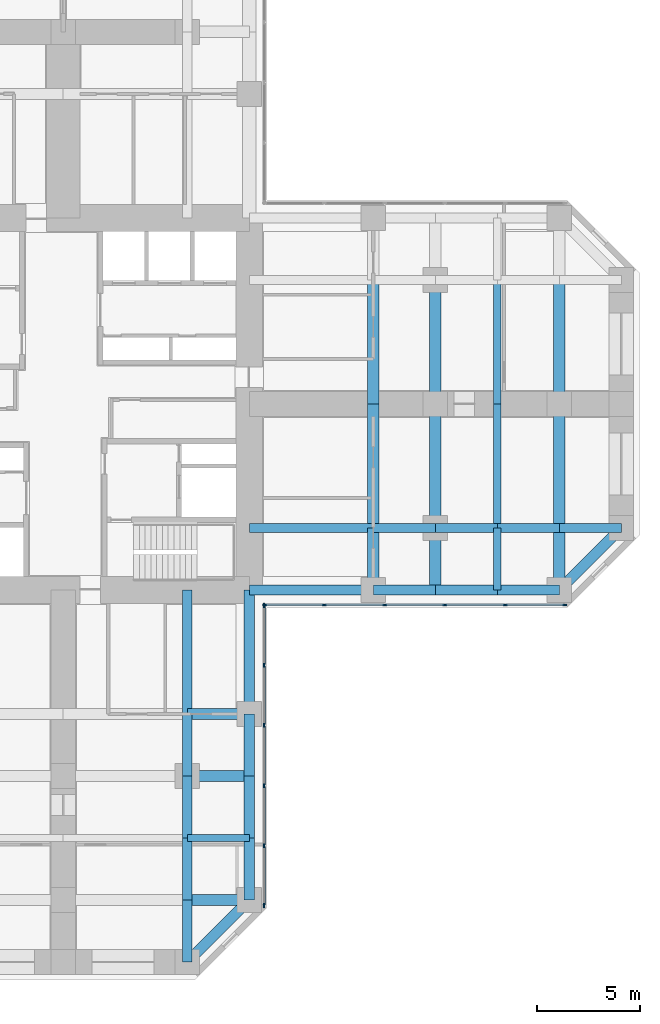
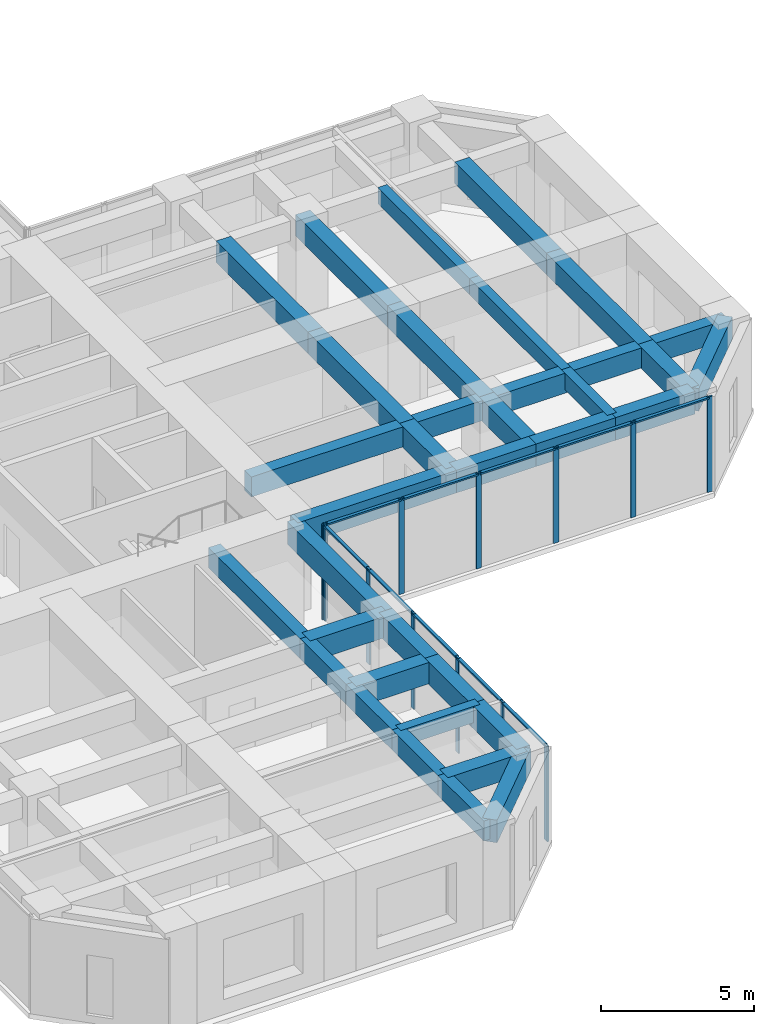
# One storey, part 4 of 12: 36 beams, 22 members, 2 elements without a shape of their own.
"""IFC4 building model written with IfcOpenShell, lengths in metres."""

from ifc_helpers import new_model, si_unit, direction, frame, origin, origin_2d, place, context, subcontext, project, spatial, rectangle, extrude, material, material_profile, profile_set, type_object, element, aggregate, save


model = new_model("IFC4")

# Units and contexts
model_context = context("Model", 3, precision=1e-05, world=origin(), true_north=direction((0.0, 1.0)))
body_context = subcontext(model_context, "Body", "Model", "MODEL_VIEW")
ifc_project = project(units=[si_unit("LENGTHUNIT", "METRE"), si_unit("AREAUNIT", "SQUARE_METRE"), si_unit("VOLUMEUNIT", "CUBIC_METRE"), si_unit("PLANEANGLEUNIT", "RADIAN"), si_unit("MASSUNIT", "GRAM", prefix="KILO")], contexts=[model_context])

# Site, building, storey
site_placement = place(None, origin())
site = spatial("IfcSite", under=ifc_project, at=site_placement, CompositionType="ELEMENT")
building_placement = place(site_placement, origin())
building = spatial("IfcBuilding", under=site, at=building_placement, Name="Torre Cruceta", CompositionType="ELEMENT")
storey_placement = place(building_placement, frame((0.0, 0.0, 87.5)))
storey = spatial("IfcBuildingStorey", under=building, at=storey_placement, Name="L21", CompositionType="ELEMENT", Elevation=87.5)

# Beams
ifc_material_1 = material(Name="Concrete G60 (fck 60 MPa)", Category="concrete")
ifc_material_profile_1 = material_profile(ifc_material_1, rectangle(XDim=0.449951171875, YDim=0.800048828125, at=origin_2d()), Name="RC 450X800")
ifc_profile_set_1 = profile_set([ifc_material_profile_1], Name="Concrete G60 (fck 60 MPa)")
beam_type_1 = type_object("IfcBeamType", Name="COLUMN LINE BEAM RC 450X800", PredefinedType="BEAM", material=ifc_profile_set_1)
beam_1_placement = place(storey_placement, frame((9.0, -6.0, 3.39990234375), z_axis=(1.0, 0.0, 0.0), x_axis=(0.0, 1.0, 0.0)))
element("IfcBeam", 1, at=beam_1_placement, inside=storey, type_object=beam_type_1, Name="LB1 L21 E col- 1", PredefinedType="BEAM", context=body_context, shape_type="SweptSolid", body=[
    extrude(rectangle(XDim=0.449951171875, YDim=0.800048828125, at=origin_2d()), origin(), (0.0, 0.0, 1.0), 6.0),
])
for number, where, z_axis, x_axis, name in (
    (2, (15.0, -6.0, 3.39990234375), (1.0, 0.0, 0.0), (0.0, 1.0, 0.0), "LB1 L21 E col- 2"),
    (3, (18.0, -6.0, 3.39990234375), (1.0, 0.0, 0.0), (0.0, 1.0, 0.0), "LB1 L21 E col- 3"),
    (4, (21.0, -6.0, 3.39990234375), (1.0, 0.0, 0.0), (0.0, 1.0, 0.0), "LB1 L21 E col- 4"),
    (5, (24.0, -6.0, 3.39990234375), (1.0, 0.0, 0.0), (0.0, 1.0, 0.0), "LB1 L21 E col- 5"),
):
    element("IfcBeam", number, at=place(storey_placement, frame(where, z_axis=z_axis, x_axis=x_axis)), inside=storey, type_object=beam_type_1, Name=name, PredefinedType="BEAM", context=body_context, shape_type="SweptSolid", body=[
        extrude(rectangle(XDim=0.449951171875, YDim=0.800048828125, at=origin_2d()), origin(), (0.0, 0.0, 1.0), 3.0),
    ])
beam_2_placement = place(storey_placement, frame((6.0, -9.0, 3.39990234375), z_axis=(0.0, -1.0, 0.0), x_axis=(1.0, 0.0, 0.0)))
element("IfcBeam", 6, at=beam_2_placement, inside=storey, type_object=beam_type_1, Name="LB1 L21 S col+ 1", PredefinedType="BEAM", context=body_context, shape_type="SweptSolid", body=[
    extrude(rectangle(XDim=0.449951171875, YDim=0.800048828125, at=origin_2d()), origin(), (0.0, 0.0, 1.0), 6.0),
])
for number, where, z_axis, x_axis, name in (
    (7, (6.0, -15.0, 3.39990234375), (0.0, -1.0, 0.0), (1.0, 0.0, 0.0), "LB1 L21 S col+ 2"),
    (8, (6.0, -18.0, 3.39990234375), (0.0, -1.0, 0.0), (1.0, 0.0, 0.0), "LB1 L21 S col+ 3"),
    (9, (6.0, -21.0, 3.39990234375), (0.0, -1.0, 0.0), (1.0, 0.0, 0.0), "LB1 L21 S col+ 4"),
    (10, (6.0, -24.0, 3.39990234375), (0.0, -1.0, 0.0), (1.0, 0.0, 0.0), "LB1 L21 S col+ 5"),
):
    element("IfcBeam", number, at=place(storey_placement, frame(where, z_axis=z_axis, x_axis=x_axis)), inside=storey, type_object=beam_type_1, Name=name, PredefinedType="BEAM", context=body_context, shape_type="SweptSolid", body=[
        extrude(rectangle(XDim=0.449951171875, YDim=0.800048828125, at=origin_2d()), origin(), (0.0, 0.0, 1.0), 3.0),
    ])
ifc_material_2 = material(Name="Concrete G60 (fck 60 MPa)", Category="concrete")
ifc_material_profile_2 = material_profile(ifc_material_2, rectangle(XDim=0.550048828125, YDim=0.85009765625, at=origin_2d()), Name="RC 550X850")
ifc_profile_set_2 = profile_set([ifc_material_profile_2], Name="Concrete G60 (fck 60 MPa)")
beam_type_2 = type_object("IfcBeamType", Name="CROSS BEAM RC 550X850", PredefinedType="BEAM", material=ifc_profile_set_2)
beam_3_placement = place(storey_placement, frame((15.0, -9.0, 3.375), z_axis=(0.0, 1.0, 0.0), x_axis=(-1.0, 0.0, 0.0)))
element("IfcBeam", 11, at=beam_3_placement, inside=storey, type_object=beam_type_2, Name="GB4 L21 E cross15 1", PredefinedType="BEAM", context=body_context, shape_type="SweptSolid", body=[
    extrude(rectangle(XDim=0.550048828125, YDim=0.85009765625, at=origin_2d()), origin(), (0.0, 0.0, 1.0), 3.0),
])
for number, where, z_axis, x_axis, name in (
    (12, (15.0, -6.0, 3.375), (0.0, 1.0, 0.0), (-1.0, 0.0, 0.0), "GB4 L21 E cross15 2"),
    (13, (15.0, 0.0, 3.375), (0.0, 1.0, 0.0), (-1.0, 0.0, 0.0), "GB4 L21 E cross15 3"),
):
    element("IfcBeam", number, at=place(storey_placement, frame(where, z_axis=z_axis, x_axis=x_axis)), inside=storey, type_object=beam_type_2, Name=name, PredefinedType="BEAM", context=body_context, shape_type="SweptSolid", body=[
        extrude(rectangle(XDim=0.550048828125, YDim=0.85009765625, at=origin_2d()), origin(), (0.0, 0.0, 1.0), 6.0),
    ])
beam_4_placement = place(storey_placement, frame((18.0, -9.0, 3.375), z_axis=(0.0, 1.0, 0.0), x_axis=(-1.0, 0.0, 0.0)))
element("IfcBeam", 14, at=beam_4_placement, inside=storey, type_object=beam_type_2, Name="GB4 L21 E cross18 1", PredefinedType="BEAM", context=body_context, shape_type="SweptSolid", body=[
    extrude(rectangle(XDim=0.550048828125, YDim=0.85009765625, at=origin_2d()), origin(), (0.0, 0.0, 1.0), 3.0),
])
for number, where, z_axis, x_axis, name in (
    (15, (18.0, -6.0, 3.375), (0.0, 1.0, 0.0), (-1.0, 0.0, 0.0), "GB4 L21 E cross18 2"),
    (16, (18.0, 0.0, 3.375), (0.0, 1.0, 0.0), (-1.0, 0.0, 0.0), "GB4 L21 E cross18 3"),
):
    element("IfcBeam", number, at=place(storey_placement, frame(where, z_axis=z_axis, x_axis=x_axis)), inside=storey, type_object=beam_type_2, Name=name, PredefinedType="BEAM", context=body_context, shape_type="SweptSolid", body=[
        extrude(rectangle(XDim=0.550048828125, YDim=0.85009765625, at=origin_2d()), origin(), (0.0, 0.0, 1.0), 6.0),
    ])
beam_5_placement = place(storey_placement, frame((24.0, -9.0, 3.375), z_axis=(0.0, 1.0, 0.0), x_axis=(-1.0, 0.0, 0.0)))
element("IfcBeam", 17, at=beam_5_placement, inside=storey, type_object=beam_type_2, Name="GB4 L21 E cross24 1", PredefinedType="BEAM", context=body_context, shape_type="SweptSolid", body=[
    extrude(rectangle(XDim=0.550048828125, YDim=0.85009765625, at=origin_2d()), origin(), (0.0, 0.0, 1.0), 3.0),
])
for number, where, z_axis, x_axis, name in (
    (18, (24.0, -6.0, 3.375), (0.0, 1.0, 0.0), (-1.0, 0.0, 0.0), "GB4 L21 E cross24 2"),
    (19, (24.0, 0.0, 3.375), (0.0, 1.0, 0.0), (-1.0, 0.0, 0.0), "GB4 L21 E cross24 3"),
):
    element("IfcBeam", number, at=place(storey_placement, frame(where, z_axis=z_axis, x_axis=x_axis)), inside=storey, type_object=beam_type_2, Name=name, PredefinedType="BEAM", context=body_context, shape_type="SweptSolid", body=[
        extrude(rectangle(XDim=0.550048828125, YDim=0.85009765625, at=origin_2d()), origin(), (0.0, 0.0, 1.0), 6.0),
    ])
for number, where, z_axis, x_axis, name in (
    (20, (6.0, -15.0, 3.375), (1.0, 0.0, 0.0), (0.0, 1.0, 0.0), "GB4 L21 S cross15 4"),
    (21, (6.0, -18.0, 3.375), (1.0, 0.0, 0.0), (0.0, 1.0, 0.0), "GB4 L21 S cross18 4"),
    (22, (6.0, -24.0, 3.375), (1.0, 0.0, 0.0), (0.0, 1.0, 0.0), "GB4 L21 S cross24 4"),
):
    element("IfcBeam", number, at=place(storey_placement, frame(where, z_axis=z_axis, x_axis=x_axis)), inside=storey, type_object=beam_type_2, Name=name, PredefinedType="BEAM", context=body_context, shape_type="SweptSolid", body=[
        extrude(rectangle(XDim=0.550048828125, YDim=0.85009765625, at=origin_2d()), origin(), (0.0, 0.0, 1.0), 3.0),
    ])

# Curtain wall, members
ifc_material_3 = material(Name="Aluminium unitised curtain wall", Category="aluminium")
curtain_wall_type = type_object("IfcCurtainWallType", Name="CURTAIN WALL CW-A OFFICE LOW RISE", PredefinedType="USERDEFINED", material=ifc_material_3)
curtain_wall_1_placement = place(storey_placement, origin())
curtain_wall_1 = element("IfcCurtainWall", 23, at=curtain_wall_1_placement, inside=storey, type_object=curtain_wall_type, Name="CW-A L21 E side 00", ObjectType="UNITISED", PredefinedType="USERDEFINED")
ifc_material_4 = material(Name="Aluminium mullion", Category="aluminium")
ifc_material_profile_3 = material_profile(ifc_material_4, rectangle(XDim=0.06494140625, YDim=0.199951171875, at=origin_2d()), Name="AL 65X200")
ifc_profile_set_3 = profile_set([ifc_material_profile_3], Name="Aluminium mullion")
member_type_1 = type_object("IfcMemberType", Name="CW-A MULLION 65X200", PredefinedType="MULLION", material=ifc_profile_set_3)
member_1_placement = place(storey_placement, frame((9.75244140625, -9.719970703125, 0.0), z_axis=(0.0, 0.0, 1.0), x_axis=(0.0, 1.0, 0.0)))
member_1 = element("IfcMember", 24, at=member_1_placement, type_object=member_type_1, Name="CW-A mullion 1", PredefinedType="MULLION", context=body_context, shape_type="SweptSolid", body=[
    extrude(rectangle(XDim=0.06494140625, YDim=0.199951171875, at=origin_2d()), origin(), (0.0, 0.0, 1.0), 3.800048828125),
])
member_2_placement = place(storey_placement, frame((12.6357421875, -9.719970703125, 0.0), z_axis=(0.0, 0.0, 1.0), x_axis=(0.0, 1.0, 0.0)))
member_2 = element("IfcMember", 25, at=member_2_placement, type_object=member_type_1, Name="CW-A mullion 2", PredefinedType="MULLION", context=body_context, shape_type="SweptSolid", body=[
    extrude(rectangle(XDim=0.06494140625, YDim=0.199951171875, at=origin_2d()), origin(), (0.0, 0.0, 1.0), 3.800048828125),
])
member_3_placement = place(storey_placement, frame((15.55126953125, -9.719970703125, 0.0), z_axis=(0.0, 0.0, 1.0), x_axis=(0.0, 1.0, 0.0)))
member_3 = element("IfcMember", 26, at=member_3_placement, type_object=member_type_1, Name="CW-A mullion 3", PredefinedType="MULLION", context=body_context, shape_type="SweptSolid", body=[
    extrude(rectangle(XDim=0.06494140625, YDim=0.199951171875, at=origin_2d()), origin(), (0.0, 0.0, 1.0), 3.800048828125),
])
member_4_placement = place(storey_placement, frame((18.467041015625, -9.719970703125, 0.0), z_axis=(0.0, 0.0, 1.0), x_axis=(0.0, 1.0, 0.0)))
member_4 = element("IfcMember", 27, at=member_4_placement, type_object=member_type_1, Name="CW-A mullion 4", PredefinedType="MULLION", context=body_context, shape_type="SweptSolid", body=[
    extrude(rectangle(XDim=0.06494140625, YDim=0.199951171875, at=origin_2d()), origin(), (0.0, 0.0, 1.0), 3.800048828125),
])
member_5_placement = place(storey_placement, frame((21.382568359375, -9.719970703125, 0.0), z_axis=(0.0, 0.0, 1.0), x_axis=(0.0, 1.0, 0.0)))
member_5 = element("IfcMember", 28, at=member_5_placement, type_object=member_type_1, Name="CW-A mullion 5", PredefinedType="MULLION", context=body_context, shape_type="SweptSolid", body=[
    extrude(rectangle(XDim=0.06494140625, YDim=0.199951171875, at=origin_2d()), origin(), (0.0, 0.0, 1.0), 3.800048828125),
])
member_6_placement = place(storey_placement, frame((24.265625, -9.719970703125, 0.0), z_axis=(0.0, 0.0, 1.0), x_axis=(0.0, 1.0, 0.0)))
member_6 = element("IfcMember", 29, at=member_6_placement, type_object=member_type_1, Name="CW-A mullion 6", PredefinedType="MULLION", context=body_context, shape_type="SweptSolid", body=[
    extrude(rectangle(XDim=0.06494140625, YDim=0.199951171875, at=origin_2d()), origin(), (0.0, 0.0, 1.0), 3.800048828125),
])

curtain_wall_2_placement = place(storey_placement, origin())
curtain_wall_2 = element("IfcCurtainWall", 30, at=curtain_wall_2_placement, inside=storey, type_object=curtain_wall_type, Name="CW-A L21 S side 19", ObjectType="UNITISED", PredefinedType="USERDEFINED")
member_7_placement = place(storey_placement, frame((9.719970703125, -24.265625, 0.0), z_axis=(0.0, 0.0, 1.0), x_axis=(-1.0, 0.0, 0.0)))
member_7 = element("IfcMember", 31, at=member_7_placement, type_object=member_type_1, Name="CW-A mullion 1", PredefinedType="MULLION", context=body_context, shape_type="SweptSolid", body=[
    extrude(rectangle(XDim=0.06494140625, YDim=0.199951171875, at=origin_2d()), origin(), (0.0, 0.0, 1.0), 3.800048828125),
])
member_8_placement = place(storey_placement, frame((9.719970703125, -21.382568359375, 0.0), z_axis=(0.0, 0.0, 1.0), x_axis=(-1.0, 0.0, 0.0)))
member_8 = element("IfcMember", 32, at=member_8_placement, type_object=member_type_1, Name="CW-A mullion 2", PredefinedType="MULLION", context=body_context, shape_type="SweptSolid", body=[
    extrude(rectangle(XDim=0.06494140625, YDim=0.199951171875, at=origin_2d()), origin(), (0.0, 0.0, 1.0), 3.800048828125),
])
member_9_placement = place(storey_placement, frame((9.719970703125, -18.467041015625, 0.0), z_axis=(0.0, 0.0, 1.0), x_axis=(-1.0, 0.0, 0.0)))
member_9 = element("IfcMember", 33, at=member_9_placement, type_object=member_type_1, Name="CW-A mullion 3", PredefinedType="MULLION", context=body_context, shape_type="SweptSolid", body=[
    extrude(rectangle(XDim=0.06494140625, YDim=0.199951171875, at=origin_2d()), origin(), (0.0, 0.0, 1.0), 3.800048828125),
])
member_10_placement = place(storey_placement, frame((9.719970703125, -15.55126953125, 0.0), z_axis=(0.0, 0.0, 1.0), x_axis=(-1.0, 0.0, 0.0)))
member_10 = element("IfcMember", 34, at=member_10_placement, type_object=member_type_1, Name="CW-A mullion 4", PredefinedType="MULLION", context=body_context, shape_type="SweptSolid", body=[
    extrude(rectangle(XDim=0.06494140625, YDim=0.199951171875, at=origin_2d()), origin(), (0.0, 0.0, 1.0), 3.800048828125),
])
member_11_placement = place(storey_placement, frame((9.719970703125, -12.6357421875, 0.0), z_axis=(0.0, 0.0, 1.0), x_axis=(-1.0, 0.0, 0.0)))
member_11 = element("IfcMember", 35, at=member_11_placement, type_object=member_type_1, Name="CW-A mullion 5", PredefinedType="MULLION", context=body_context, shape_type="SweptSolid", body=[
    extrude(rectangle(XDim=0.06494140625, YDim=0.199951171875, at=origin_2d()), origin(), (0.0, 0.0, 1.0), 3.800048828125),
])
member_12_placement = place(storey_placement, frame((9.719970703125, -9.75244140625, 0.0), z_axis=(0.0, 0.0, 1.0), x_axis=(-1.0, 0.0, 0.0)))
member_12 = element("IfcMember", 36, at=member_12_placement, type_object=member_type_1, Name="CW-A mullion 6", PredefinedType="MULLION", context=body_context, shape_type="SweptSolid", body=[
    extrude(rectangle(XDim=0.06494140625, YDim=0.199951171875, at=origin_2d()), origin(), (0.0, 0.0, 1.0), 3.800048828125),
])

# Member
ifc_material_5 = material(Name="Aluminium transom", Category="aluminium")
ifc_material_profile_4 = material_profile(ifc_material_5, rectangle(XDim=0.1201171875, YDim=0.06494140625, at=origin_2d()), Name="AL 120X65")
ifc_profile_set_4 = profile_set([ifc_material_profile_4], Name="Aluminium transom")
member_type_2 = type_object("IfcMemberType", Name="CW-A TRANSOM 65X120", PredefinedType="USERDEFINED", material=ifc_profile_set_4)
member_13_placement = place(storey_placement, frame((9.784912109375, -9.719970703125, 3.767578125), z_axis=(1.0, 0.0, 0.0), x_axis=(0.0, 1.0, 0.0)))
member_13 = element("IfcMember", 37, at=member_13_placement, type_object=member_type_2, Name="CW-A transom 1", ObjectType="TRANSOM", PredefinedType="USERDEFINED", context=body_context, shape_type="SweptSolid", body=[
    extrude(rectangle(XDim=0.1201171875, YDim=0.06494140625, at=origin_2d()), origin(), (0.0, 0.0, 1.0), 2.818115234375),
])

member_14_placement = place(storey_placement, frame((12.668212890625, -9.719970703125, 3.767578125), z_axis=(1.0, 0.0, 0.0), x_axis=(0.0, 1.0, 0.0)))
member_14 = element("IfcMember", 38, at=member_14_placement, type_object=member_type_2, Name="CW-A transom 2", ObjectType="TRANSOM", PredefinedType="USERDEFINED", context=body_context, shape_type="SweptSolid", body=[
    extrude(rectangle(XDim=0.1201171875, YDim=0.06494140625, at=origin_2d()), origin(), (0.0, 0.0, 1.0), 2.8505859375),
])

member_15_placement = place(storey_placement, frame((15.583740234375, -9.719970703125, 3.767578125), z_axis=(1.0, 0.0, 0.0), x_axis=(0.0, 1.0, 0.0)))
member_15 = element("IfcMember", 39, at=member_15_placement, type_object=member_type_2, Name="CW-A transom 3", ObjectType="TRANSOM", PredefinedType="USERDEFINED", context=body_context, shape_type="SweptSolid", body=[
    extrude(rectangle(XDim=0.1201171875, YDim=0.06494140625, at=origin_2d()), origin(), (0.0, 0.0, 1.0), 2.8505859375),
])

member_16_placement = place(storey_placement, frame((18.49951171875, -9.719970703125, 3.767578125), z_axis=(1.0, 0.0, 0.0), x_axis=(0.0, 1.0, 0.0)))
member_16 = element("IfcMember", 40, at=member_16_placement, type_object=member_type_2, Name="CW-A transom 4", ObjectType="TRANSOM", PredefinedType="USERDEFINED", context=body_context, shape_type="SweptSolid", body=[
    extrude(rectangle(XDim=0.1201171875, YDim=0.06494140625, at=origin_2d()), origin(), (0.0, 0.0, 1.0), 2.8505859375),
])

member_17_placement = place(storey_placement, frame((21.4150390625, -9.719970703125, 3.767578125), z_axis=(1.0, 0.0, 0.0), x_axis=(0.0, 1.0, 0.0)))
member_17 = element("IfcMember", 41, at=member_17_placement, type_object=member_type_2, Name="CW-A transom 5", ObjectType="TRANSOM", PredefinedType="USERDEFINED", context=body_context, shape_type="SweptSolid", body=[
    extrude(rectangle(XDim=0.1201171875, YDim=0.06494140625, at=origin_2d()), origin(), (0.0, 0.0, 1.0), 2.818115234375),
])

aggregate(curtain_wall_1, [member_1, member_2, member_3, member_4, member_5, member_6, member_13, member_14, member_15, member_16, member_17])

member_18_placement = place(storey_placement, frame((9.719970703125, -24.233154296875, 3.767578125), z_axis=(0.0, 1.0, 0.0), x_axis=(-1.0, 0.0, 0.0)))
member_18 = element("IfcMember", 42, at=member_18_placement, type_object=member_type_2, Name="CW-A transom 1", ObjectType="TRANSOM", PredefinedType="USERDEFINED", context=body_context, shape_type="SweptSolid", body=[
    extrude(rectangle(XDim=0.1201171875, YDim=0.06494140625, at=origin_2d()), origin(), (0.0, 0.0, 1.0), 2.818115234375),
])

member_19_placement = place(storey_placement, frame((9.719970703125, -21.35009765625, 3.767578125), z_axis=(0.0, 1.0, 0.0), x_axis=(-1.0, 0.0, 0.0)))
member_19 = element("IfcMember", 43, at=member_19_placement, type_object=member_type_2, Name="CW-A transom 2", ObjectType="TRANSOM", PredefinedType="USERDEFINED", context=body_context, shape_type="SweptSolid", body=[
    extrude(rectangle(XDim=0.1201171875, YDim=0.06494140625, at=origin_2d()), origin(), (0.0, 0.0, 1.0), 2.8505859375),
])

member_20_placement = place(storey_placement, frame((9.719970703125, -18.434326171875, 3.767578125), z_axis=(0.0, 1.0, 0.0), x_axis=(-1.0, 0.0, 0.0)))
member_20 = element("IfcMember", 44, at=member_20_placement, type_object=member_type_2, Name="CW-A transom 3", ObjectType="TRANSOM", PredefinedType="USERDEFINED", context=body_context, shape_type="SweptSolid", body=[
    extrude(rectangle(XDim=0.1201171875, YDim=0.06494140625, at=origin_2d()), origin(), (0.0, 0.0, 1.0), 2.8505859375),
])

member_21_placement = place(storey_placement, frame((9.719970703125, -15.518798828125, 3.767578125), z_axis=(0.0, 1.0, 0.0), x_axis=(-1.0, 0.0, 0.0)))
member_21 = element("IfcMember", 45, at=member_21_placement, type_object=member_type_2, Name="CW-A transom 4", ObjectType="TRANSOM", PredefinedType="USERDEFINED", context=body_context, shape_type="SweptSolid", body=[
    extrude(rectangle(XDim=0.1201171875, YDim=0.06494140625, at=origin_2d()), origin(), (0.0, 0.0, 1.0), 2.8505859375),
])

member_22_placement = place(storey_placement, frame((9.719970703125, -12.60302734375, 3.767578125), z_axis=(0.0, 1.0, 0.0), x_axis=(-1.0, 0.0, 0.0)))
member_22 = element("IfcMember", 46, at=member_22_placement, type_object=member_type_2, Name="CW-A transom 5", ObjectType="TRANSOM", PredefinedType="USERDEFINED", context=body_context, shape_type="SweptSolid", body=[
    extrude(rectangle(XDim=0.1201171875, YDim=0.06494140625, at=origin_2d()), origin(), (0.0, 0.0, 1.0), 2.818115234375),
])

aggregate(curtain_wall_2, [member_7, member_8, member_9, member_10, member_11, member_12, member_18, member_19, member_20, member_21, member_22])

# Beams
ifc_material_6 = material(Name="Concrete G60 (fck 60 MPa)", Category="concrete")
ifc_material_profile_5 = material_profile(ifc_material_6, rectangle(XDim=0.35009765625, YDim=0.64990234375, at=origin_2d()), Name="RC 350X650")
ifc_profile_set_5 = profile_set([ifc_material_profile_5], Name="Concrete G60 (fck 60 MPa)")
beam_type_3 = type_object("IfcBeamType", Name="SECONDARY BEAM RC 350X650", PredefinedType="JOIST", material=ifc_profile_set_5)
beam_6_placement = place(storey_placement, frame((21.0, -9.0, 3.47509765625), z_axis=(0.0, 1.0, 0.0), x_axis=(-1.0, 0.0, 0.0)))
element("IfcBeam", 47, at=beam_6_placement, inside=storey, type_object=beam_type_3, Name="JB3 L21 E sec21 1", PredefinedType="JOIST", context=body_context, shape_type="SweptSolid", body=[
    extrude(rectangle(XDim=0.35009765625, YDim=0.64990234375, at=origin_2d()), origin(), (0.0, 0.0, 1.0), 3.0),
])
for number, where, z_axis, x_axis, name in (
    (48, (21.0, -6.0, 3.47509765625), (0.0, 1.0, 0.0), (-1.0, 0.0, 0.0), "JB3 L21 E sec21 2"),
    (49, (21.0, 0.0, 3.47509765625), (0.0, 1.0, 0.0), (-1.0, 0.0, 0.0), "JB3 L21 E sec21 3"),
):
    element("IfcBeam", number, at=place(storey_placement, frame(where, z_axis=z_axis, x_axis=x_axis)), inside=storey, type_object=beam_type_3, Name=name, PredefinedType="JOIST", context=body_context, shape_type="SweptSolid", body=[
        extrude(rectangle(XDim=0.35009765625, YDim=0.64990234375, at=origin_2d()), origin(), (0.0, 0.0, 1.0), 6.0),
    ])
beam_7_placement = place(storey_placement, frame((6.0, -21.0, 3.47509765625), z_axis=(1.0, 0.0, 0.0), x_axis=(0.0, 1.0, 0.0)))
element("IfcBeam", 50, at=beam_7_placement, inside=storey, type_object=beam_type_3, Name="JB3 L21 S sec21 4", PredefinedType="JOIST", context=body_context, shape_type="SweptSolid", body=[
    extrude(rectangle(XDim=0.35009765625, YDim=0.64990234375, at=origin_2d()), origin(), (0.0, 0.0, 1.0), 3.0),
])
ifc_material_7 = material(Name="Concrete G60 (fck 60 MPa)", Category="concrete")
ifc_material_profile_6 = material_profile(ifc_material_7, rectangle(XDim=0.5, YDim=0.89990234375, at=origin_2d()), Name="RC 500X900")
ifc_profile_set_6 = profile_set([ifc_material_profile_6], Name="Concrete G60 (fck 60 MPa)")
beam_type_4 = type_object("IfcBeamType", Name="SPANDREL BEAM RC 500X900", PredefinedType="SPANDREL", material=ifc_profile_set_6)
beam_8_placement = place(storey_placement, frame((9.0, -9.0, 3.35009765625), z_axis=(1.0, 0.0, 0.0), x_axis=(0.0, 1.0, 0.0)))
element("IfcBeam", 51, at=beam_8_placement, inside=storey, type_object=beam_type_4, Name="SB4 L21 E side- 1", PredefinedType="SPANDREL", context=body_context, shape_type="SweptSolid", body=[
    extrude(rectangle(XDim=0.5, YDim=0.89990234375, at=origin_2d()), origin(), (0.0, 0.0, 1.0), 6.0),
])
for number, where, z_axis, x_axis, name in (
    (52, (15.0, -9.0, 3.35009765625), (1.0, 0.0, 0.0), (0.0, 1.0, 0.0), "SB4 L21 E side- 2"),
    (53, (18.0, -9.0, 3.35009765625), (1.0, 0.0, 0.0), (0.0, 1.0, 0.0), "SB4 L21 E side- 3"),
    (54, (21.0, -9.0, 3.35009765625), (1.0, 0.0, 0.0), (0.0, 1.0, 0.0), "SB4 L21 E side- 4"),
):
    element("IfcBeam", number, at=place(storey_placement, frame(where, z_axis=z_axis, x_axis=x_axis)), inside=storey, type_object=beam_type_4, Name=name, PredefinedType="SPANDREL", context=body_context, shape_type="SweptSolid", body=[
        extrude(rectangle(XDim=0.5, YDim=0.89990234375, at=origin_2d()), origin(), (0.0, 0.0, 1.0), 3.0),
    ])
beam_9_placement = place(storey_placement, frame((24.0, -9.0, 3.35009765625), z_axis=(0.707106781187, 0.707106781187, 0.0), x_axis=(-0.707106781187, 0.707106781187, 0.0)))
element("IfcBeam", 55, at=beam_9_placement, inside=storey, type_object=beam_type_4, Name="SB4 L21 E side- 5", PredefinedType="SPANDREL", context=body_context, shape_type="SweptSolid", body=[
    extrude(rectangle(XDim=0.5, YDim=0.89990234375, at=origin_2d()), origin(), (0.0, 0.0, 1.0), 4.24267578125),
])
beam_10_placement = place(storey_placement, frame((9.0, -9.0, 3.35009765625), z_axis=(0.0, -1.0, 0.0), x_axis=(1.0, 0.0, 0.0)))
element("IfcBeam", 56, at=beam_10_placement, inside=storey, type_object=beam_type_4, Name="SB4 L21 S side+ 1", PredefinedType="SPANDREL", context=body_context, shape_type="SweptSolid", body=[
    extrude(rectangle(XDim=0.5, YDim=0.89990234375, at=origin_2d()), origin(), (0.0, 0.0, 1.0), 6.0),
])
for number, where, z_axis, x_axis, name in (
    (57, (9.0, -15.0, 3.35009765625), (0.0, -1.0, 0.0), (1.0, 0.0, 0.0), "SB4 L21 S side+ 2"),
    (58, (9.0, -18.0, 3.35009765625), (0.0, -1.0, 0.0), (1.0, 0.0, 0.0), "SB4 L21 S side+ 3"),
    (59, (9.0, -21.0, 3.35009765625), (0.0, -1.0, 0.0), (1.0, 0.0, 0.0), "SB4 L21 S side+ 4"),
):
    element("IfcBeam", number, at=place(storey_placement, frame(where, z_axis=z_axis, x_axis=x_axis)), inside=storey, type_object=beam_type_4, Name=name, PredefinedType="SPANDREL", context=body_context, shape_type="SweptSolid", body=[
        extrude(rectangle(XDim=0.5, YDim=0.89990234375, at=origin_2d()), origin(), (0.0, 0.0, 1.0), 3.0),
    ])
beam_11_placement = place(storey_placement, frame((9.0, -24.0, 3.35009765625), z_axis=(-0.707106781187, -0.707106781187, 0.0), x_axis=(0.707106781187, -0.707106781187, 0.0)))
element("IfcBeam", 60, at=beam_11_placement, inside=storey, type_object=beam_type_4, Name="SB4 L21 S side+ 5", PredefinedType="SPANDREL", context=body_context, shape_type="SweptSolid", body=[
    extrude(rectangle(XDim=0.5, YDim=0.89990234375, at=origin_2d()), origin(), (0.0, 0.0, 1.0), 4.24267578125),
])

save(model, "model.ifc")
